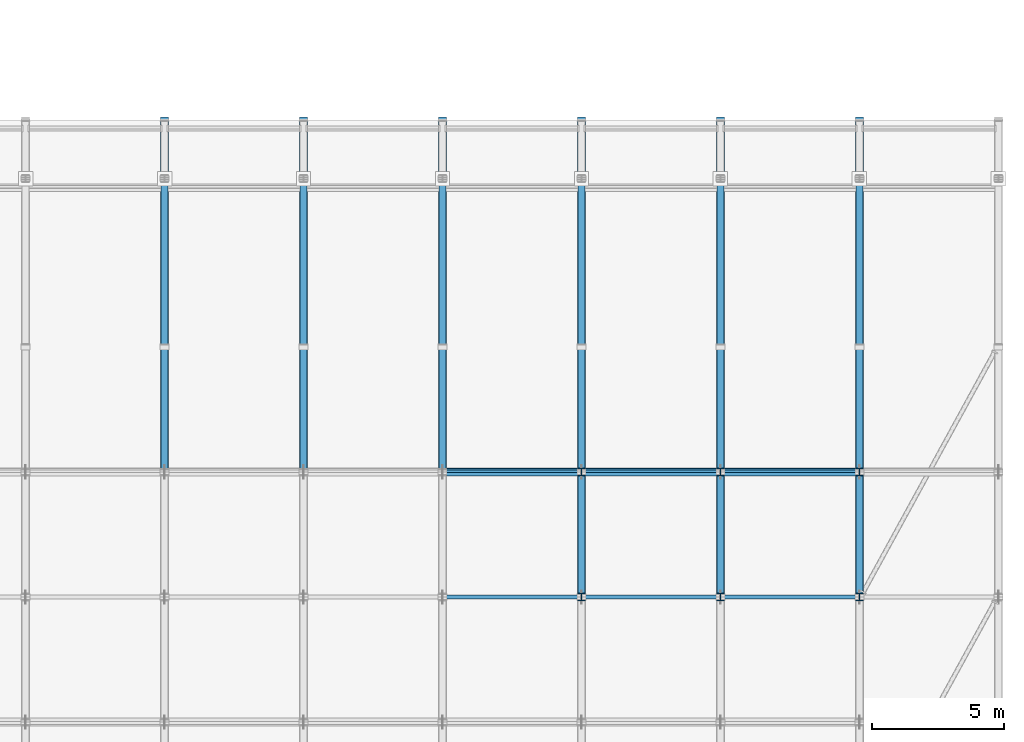
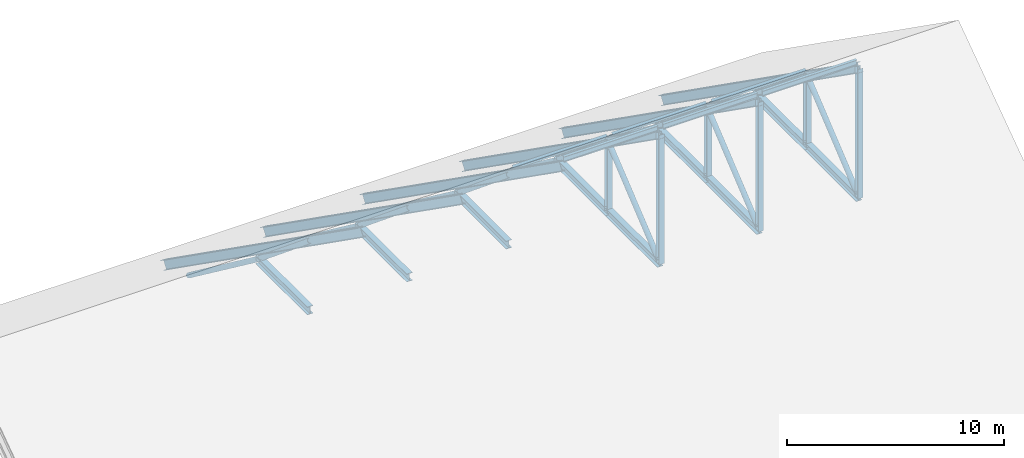
# One storey, part 13 of 57: 36 members, 6 beams.
"""IFC4 building model written with IfcOpenShell, lengths in metres."""

from ifc_helpers import new_model, si_unit, direction, frame, origin, origin_2d, place, context, subcontext, project, spatial, hollow_circle, i_section, extrude, material, material_profile, profile_set, type_object, element, save


model = new_model("IFC4")

# Units and contexts
model_context = context("Model", 3, precision=1e-05, world=origin(), true_north=direction((0.0, 1.0)))
body_context = subcontext(model_context, "Body", "Model", "MODEL_VIEW")
ifc_project = project(units=[si_unit("LENGTHUNIT", "METRE"), si_unit("AREAUNIT", "SQUARE_METRE"), si_unit("VOLUMEUNIT", "CUBIC_METRE"), si_unit("PLANEANGLEUNIT", "RADIAN"), si_unit("MASSUNIT", "GRAM", prefix="KILO")], contexts=[model_context])

# Site, building, storey
site_placement = place(None, origin())
site = spatial("IfcSite", under=ifc_project, at=site_placement, CompositionType="ELEMENT")
building_placement = place(site_placement, origin())
building = spatial("IfcBuilding", under=site, at=building_placement, Name="Kelarvand Opera House", CompositionType="ELEMENT")
storey_placement = place(building_placement, frame((0.0, 0.0, 33.60009765625)))
storey = spatial("IfcBuildingStorey", under=building, at=storey_placement, Name="Roof", CompositionType="ELEMENT", Elevation=33.60009765625)

# Members
ifc_material = material(Name="Steel S355", Category="steel")
ifc_material_profile_1 = material_profile(ifc_material, hollow_circle(Radius=0.136474609375, WallThickness=0.012451171875, at=origin_2d()), Name="CHS 273.0x12.5", Category="steel")
ifc_profile_set_1 = profile_set([ifc_material_profile_1], Name="Steel S355")
member_type_1 = type_object("IfcMemberType", Name="Structural Brace CHS 273.0x12.5 BR-CHS273", PredefinedType="BRACE", material=ifc_profile_set_1)
member_1_placement = place(storey_placement, frame((110.1201171875, 78.39990234375, -9.60009765625), z_axis=(0.0, -0.799992675677, 0.60000976564), x_axis=(1.0, 0.0, 0.0)))
element("IfcMember", 1, at=member_1_placement, inside=storey, type_object=member_type_1, Name="V1 Roof Truss 5 Support Tie N", PredefinedType="BRACE", context=body_context, shape_type="SweptSolid", body=[
    extrude(hollow_circle(Radius=0.136474609375, WallThickness=0.012451171875, at=origin_2d()), origin(), (0.0, 0.0, 1.0), 8.0),
])
member_2_placement = place(storey_placement, frame((110.1201171875, 67.25, -0.891357421875), z_axis=(0.0, 0.772175345454, -0.635409502504), x_axis=(-1.0, 0.0, 0.0)))
element("IfcMember", 2, at=member_2_placement, inside=storey, type_object=member_type_1, Name="V1 Roof Truss 5 Web Diagonal 4", PredefinedType="BRACE", context=body_context, shape_type="SweptSolid", body=[
    extrude(hollow_circle(Radius=0.136474609375, WallThickness=0.012451171875, at=origin_2d()), origin(), (0.0, 0.0, 1.0), 6.1513671875),
])
member_3_placement = place(storey_placement, frame((115.39990234375, 78.39990234375, -9.60009765625), z_axis=(0.0, -0.799992675677, 0.60000976564), x_axis=(1.0, 0.0, 0.0)))
element("IfcMember", 3, at=member_3_placement, inside=storey, type_object=member_type_1, Name="V1 Roof Truss 6 Support Tie N", PredefinedType="BRACE", context=body_context, shape_type="SweptSolid", body=[
    extrude(hollow_circle(Radius=0.136474609375, WallThickness=0.012451171875, at=origin_2d()), origin(), (0.0, 0.0, 1.0), 8.0),
])
member_4_placement = place(storey_placement, frame((115.39990234375, 67.25, -0.891357421875), z_axis=(0.0, 0.772175345454, -0.635409502504), x_axis=(-1.0, 0.0, 0.0)))
element("IfcMember", 4, at=member_4_placement, inside=storey, type_object=member_type_1, Name="V1 Roof Truss 6 Web Diagonal 4", PredefinedType="BRACE", context=body_context, shape_type="SweptSolid", body=[
    extrude(hollow_circle(Radius=0.136474609375, WallThickness=0.012451171875, at=origin_2d()), origin(), (0.0, 0.0, 1.0), 6.1513671875),
])
member_5_placement = place(storey_placement, frame((120.679931640625, 78.39990234375, -9.60009765625), z_axis=(0.0, -0.799992675677, 0.60000976564), x_axis=(1.0, 0.0, 0.0)))
element("IfcMember", 5, at=member_5_placement, inside=storey, type_object=member_type_1, Name="V1 Roof Truss 7 Support Tie N", PredefinedType="BRACE", context=body_context, shape_type="SweptSolid", body=[
    extrude(hollow_circle(Radius=0.136474609375, WallThickness=0.012451171875, at=origin_2d()), origin(), (0.0, 0.0, 1.0), 8.0),
])
member_6_placement = place(storey_placement, frame((120.679931640625, 67.25, -0.891357421875), z_axis=(0.0, 0.772175345454, -0.635409502504), x_axis=(-1.0, 0.0, 0.0)))
element("IfcMember", 6, at=member_6_placement, inside=storey, type_object=member_type_1, Name="V1 Roof Truss 7 Web Diagonal 4", PredefinedType="BRACE", context=body_context, shape_type="SweptSolid", body=[
    extrude(hollow_circle(Radius=0.136474609375, WallThickness=0.012451171875, at=origin_2d()), origin(), (0.0, 0.0, 1.0), 6.1513671875),
])
member_7_placement = place(storey_placement, frame((125.9599609375, 78.39990234375, -9.60009765625), z_axis=(0.0, -0.799992675677, 0.60000976564), x_axis=(1.0, 0.0, 0.0)))
element("IfcMember", 7, at=member_7_placement, inside=storey, type_object=member_type_1, Name="V1 Roof Truss 8 Support Tie N", PredefinedType="BRACE", context=body_context, shape_type="SweptSolid", body=[
    extrude(hollow_circle(Radius=0.136474609375, WallThickness=0.012451171875, at=origin_2d()), origin(), (0.0, 0.0, 1.0), 8.0),
])
for number, where, z_axis, x_axis, name in (
    (8, (125.9599609375, 62.5, -4.800048828125), (0.0, 0.772175345454, 0.635409502504), (-1.0, 0.0, 0.0), "V1 Roof Truss 8 Web Diagonal 3"),
    (9, (125.9599609375, 67.25, -0.891357421875), (0.0, 0.772175345454, -0.635409502504), (-1.0, 0.0, 0.0), "V1 Roof Truss 8 Web Diagonal 4"),
):
    element("IfcMember", number, at=place(storey_placement, frame(where, z_axis=z_axis, x_axis=x_axis)), inside=storey, type_object=member_type_1, Name=name, PredefinedType="BRACE", context=body_context, shape_type="SweptSolid", body=[
        extrude(hollow_circle(Radius=0.136474609375, WallThickness=0.012451171875, at=origin_2d()), origin(), (0.0, 0.0, 1.0), 6.1513671875),
    ])
member_8_placement = place(storey_placement, frame((131.239990234375, 78.39990234375, -9.60009765625), z_axis=(0.0, -0.799992675677, 0.60000976564), x_axis=(1.0, 0.0, 0.0)))
element("IfcMember", 10, at=member_8_placement, inside=storey, type_object=member_type_1, Name="V1 Roof Truss 9 Support Tie N", PredefinedType="BRACE", context=body_context, shape_type="SweptSolid", body=[
    extrude(hollow_circle(Radius=0.136474609375, WallThickness=0.012451171875, at=origin_2d()), origin(), (0.0, 0.0, 1.0), 8.0),
])
for number, where, z_axis, x_axis, name in (
    (11, (131.239990234375, 62.5, -4.800048828125), (0.0, 0.772175345454, 0.635409502504), (-1.0, 0.0, 0.0), "V1 Roof Truss 9 Web Diagonal 3"),
    (12, (131.239990234375, 67.25, -0.891357421875), (0.0, 0.772175345454, -0.635409502504), (-1.0, 0.0, 0.0), "V1 Roof Truss 9 Web Diagonal 4"),
):
    element("IfcMember", number, at=place(storey_placement, frame(where, z_axis=z_axis, x_axis=x_axis)), inside=storey, type_object=member_type_1, Name=name, PredefinedType="BRACE", context=body_context, shape_type="SweptSolid", body=[
        extrude(hollow_circle(Radius=0.136474609375, WallThickness=0.012451171875, at=origin_2d()), origin(), (0.0, 0.0, 1.0), 6.1513671875),
    ])
member_9_placement = place(storey_placement, frame((136.52001953125, 78.39990234375, -9.60009765625), z_axis=(0.0, -0.799992675677, 0.60000976564), x_axis=(1.0, 0.0, 0.0)))
element("IfcMember", 13, at=member_9_placement, inside=storey, type_object=member_type_1, Name="V1 Roof Truss 10 Support Tie N", PredefinedType="BRACE", context=body_context, shape_type="SweptSolid", body=[
    extrude(hollow_circle(Radius=0.136474609375, WallThickness=0.012451171875, at=origin_2d()), origin(), (0.0, 0.0, 1.0), 8.0),
])
for number, where, z_axis, x_axis, name in (
    (14, (136.52001953125, 62.5, -4.800048828125), (0.0, 0.772175345454, 0.635409502504), (-1.0, 0.0, 0.0), "V1 Roof Truss 10 Web Diagonal 3"),
    (15, (136.52001953125, 67.25, -0.891357421875), (0.0, 0.772175345454, -0.635409502504), (-1.0, 0.0, 0.0), "V1 Roof Truss 10 Web Diagonal 4"),
):
    element("IfcMember", number, at=place(storey_placement, frame(where, z_axis=z_axis, x_axis=x_axis)), inside=storey, type_object=member_type_1, Name=name, PredefinedType="BRACE", context=body_context, shape_type="SweptSolid", body=[
        extrude(hollow_circle(Radius=0.136474609375, WallThickness=0.012451171875, at=origin_2d()), origin(), (0.0, 0.0, 1.0), 6.1513671875),
    ])
ifc_material_profile_2 = material_profile(ifc_material, i_section(OverallWidth=0.300048828125, OverallDepth=0.449951171875, WebThickness=0.013916015625, FlangeThickness=0.02587890625, at=origin_2d()), Name="HEB 450", Category="steel")
ifc_profile_set_2 = profile_set([ifc_material_profile_2], Name="Steel S355")
member_type_2 = type_object("IfcMemberType", Name="Structural Chord HEB 450 CH-HEB450", PredefinedType="CHORD", material=ifc_profile_set_2)
for number, where, z_axis, x_axis, name in (
    (16, (110.1201171875, 67.25, -4.800048828125), (0.0, 1.0, 0.0), (-1.0, 0.0, 0.0), "V1 Roof Truss 5 Bottom Chord 4"),
    (17, (115.39990234375, 67.25, -4.800048828125), (0.0, 1.0, 0.0), (-1.0, 0.0, 0.0), "V1 Roof Truss 6 Bottom Chord 4"),
    (18, (120.679931640625, 67.25, -4.800048828125), (0.0, 1.0, 0.0), (-1.0, 0.0, 0.0), "V1 Roof Truss 7 Bottom Chord 4"),
    (19, (125.9599609375, 62.5, -4.800048828125), (0.0, 1.0, 0.0), (-1.0, 0.0, 0.0), "V1 Roof Truss 8 Bottom Chord 3"),
    (20, (125.9599609375, 67.25, -4.800048828125), (0.0, 1.0, 0.0), (-1.0, 0.0, 0.0), "V1 Roof Truss 8 Bottom Chord 4"),
    (21, (131.239990234375, 62.5, -4.800048828125), (0.0, 1.0, 0.0), (-1.0, 0.0, 0.0), "V1 Roof Truss 9 Bottom Chord 3"),
    (22, (131.239990234375, 67.25, -4.800048828125), (0.0, 1.0, 0.0), (-1.0, 0.0, 0.0), "V1 Roof Truss 9 Bottom Chord 4"),
    (23, (136.52001953125, 62.5, -4.800048828125), (0.0, 1.0, 0.0), (-1.0, 0.0, 0.0), "V1 Roof Truss 10 Bottom Chord 3"),
    (24, (136.52001953125, 67.25, -4.800048828125), (0.0, 1.0, 0.0), (-1.0, 0.0, 0.0), "V1 Roof Truss 10 Bottom Chord 4"),
):
    element("IfcMember", number, at=place(storey_placement, frame(where, z_axis=z_axis, x_axis=x_axis)), inside=storey, type_object=member_type_2, Name=name, PredefinedType="CHORD", context=body_context, shape_type="SweptSolid", body=[
        extrude(i_section(OverallWidth=0.300048828125, OverallDepth=0.449951171875, WebThickness=0.013916015625, FlangeThickness=0.02587890625, at=origin_2d()), origin(), (0.0, 0.0, 1.0), 4.75),
    ])
ifc_material_profile_3 = material_profile(ifc_material, i_section(OverallWidth=0.280029296875, OverallDepth=0.280029296875, WebThickness=0.010498046875, FlangeThickness=0.01806640625, at=origin_2d()), Name="HEB 280", Category="steel")
ifc_profile_set_3 = profile_set([ifc_material_profile_3], Name="Steel S355")
member_type_3 = type_object("IfcMemberType", Name="Structural Post HEB 280 PS-HEB280", PredefinedType="POST", material=ifc_profile_set_3)
member_10_placement = place(storey_placement, frame((125.9599609375, 62.5, -4.800048828125), z_axis=(0.0, 0.0, 1.0), x_axis=(1.0, 0.0, 0.0)))
element("IfcMember", 25, at=member_10_placement, inside=storey, type_object=member_type_3, Name="V1 Roof Truss 8 Post 2", PredefinedType="POST", context=body_context, shape_type="SweptSolid", body=[
    extrude(i_section(OverallWidth=0.280029296875, OverallDepth=0.280029296875, WebThickness=0.010498046875, FlangeThickness=0.01806640625, at=origin_2d()), origin(), (0.0, 0.0, 1.0), 7.267822265625),
])
member_11_placement = place(storey_placement, frame((125.9599609375, 67.25, -4.800048828125), z_axis=(0.0, 0.0, 1.0), x_axis=(1.0, 0.0, 0.0)))
element("IfcMember", 26, at=member_11_placement, inside=storey, type_object=member_type_3, Name="V1 Roof Truss 8 Post 3", PredefinedType="POST", context=body_context, shape_type="SweptSolid", body=[
    extrude(i_section(OverallWidth=0.280029296875, OverallDepth=0.280029296875, WebThickness=0.010498046875, FlangeThickness=0.01806640625, at=origin_2d()), origin(), (0.0, 0.0, 1.0), 3.90869140625),
])
member_12_placement = place(storey_placement, frame((131.239990234375, 62.5, -4.800048828125), z_axis=(0.0, 0.0, 1.0), x_axis=(1.0, 0.0, 0.0)))
element("IfcMember", 27, at=member_12_placement, inside=storey, type_object=member_type_3, Name="V1 Roof Truss 9 Post 2", PredefinedType="POST", context=body_context, shape_type="SweptSolid", body=[
    extrude(i_section(OverallWidth=0.280029296875, OverallDepth=0.280029296875, WebThickness=0.010498046875, FlangeThickness=0.01806640625, at=origin_2d()), origin(), (0.0, 0.0, 1.0), 7.267822265625),
])
member_13_placement = place(storey_placement, frame((131.239990234375, 67.25, -4.800048828125), z_axis=(0.0, 0.0, 1.0), x_axis=(1.0, 0.0, 0.0)))
element("IfcMember", 28, at=member_13_placement, inside=storey, type_object=member_type_3, Name="V1 Roof Truss 9 Post 3", PredefinedType="POST", context=body_context, shape_type="SweptSolid", body=[
    extrude(i_section(OverallWidth=0.280029296875, OverallDepth=0.280029296875, WebThickness=0.010498046875, FlangeThickness=0.01806640625, at=origin_2d()), origin(), (0.0, 0.0, 1.0), 3.90869140625),
])
member_14_placement = place(storey_placement, frame((136.52001953125, 62.5, -4.800048828125), z_axis=(0.0, 0.0, 1.0), x_axis=(1.0, 0.0, 0.0)))
element("IfcMember", 29, at=member_14_placement, inside=storey, type_object=member_type_3, Name="V1 Roof Truss 10 Post 2", PredefinedType="POST", context=body_context, shape_type="SweptSolid", body=[
    extrude(i_section(OverallWidth=0.280029296875, OverallDepth=0.280029296875, WebThickness=0.010498046875, FlangeThickness=0.01806640625, at=origin_2d()), origin(), (0.0, 0.0, 1.0), 7.267822265625),
])
member_15_placement = place(storey_placement, frame((136.52001953125, 67.25, -4.800048828125), z_axis=(0.0, 0.0, 1.0), x_axis=(1.0, 0.0, 0.0)))
element("IfcMember", 30, at=member_15_placement, inside=storey, type_object=member_type_3, Name="V1 Roof Truss 10 Post 3", PredefinedType="POST", context=body_context, shape_type="SweptSolid", body=[
    extrude(i_section(OverallWidth=0.280029296875, OverallDepth=0.280029296875, WebThickness=0.010498046875, FlangeThickness=0.01806640625, at=origin_2d()), origin(), (0.0, 0.0, 1.0), 3.90869140625),
])
ifc_material_profile_4 = material_profile(ifc_material, i_section(OverallWidth=0.14990234375, OverallDepth=0.300048828125, WebThickness=0.007080078125, FlangeThickness=0.0107421875, at=origin_2d()), Name="IPE 300", Category="steel")
ifc_profile_set_4 = profile_set([ifc_material_profile_4], Name="Steel S355")
member_type_4 = type_object("IfcMemberType", Name="Structural Purlin IPE 300 PR-IPE300", PredefinedType="PURLIN", material=ifc_profile_set_4)
for number, where, z_axis, x_axis, name in (
    (31, (120.820068359375, 62.5, 2.826416015625), (1.0, 0.0, 0.0), (0.0, 1.0, 0.0), "V1 Roof Purlin 7.4"),
    (32, (120.820068359375, 67.25, -0.548583984375), (1.0, 0.0, 0.0), (0.0, 0.816440043737, 0.577430216549), "V1 Roof Purlin 7.5"),
    (33, (126.10009765625, 62.5, 2.826416015625), (1.0, 0.0, 0.0), (0.0, 1.0, 0.0), "V1 Roof Purlin 8.4"),
    (34, (126.10009765625, 67.25, -0.548583984375), (1.0, 0.0, 0.0), (0.0, 0.816440043737, 0.577430216549), "V1 Roof Purlin 8.5"),
    (35, (131.3798828125, 62.5, 2.826416015625), (1.0, 0.0, 0.0), (0.0, 1.0, 0.0), "V1 Roof Purlin 9.4"),
    (36, (131.3798828125, 67.25, -0.548583984375), (1.0, 0.0, 0.0), (0.0, 0.816440043737, 0.577430216549), "V1 Roof Purlin 9.5"),
):
    element("IfcMember", number, at=place(storey_placement, frame(where, z_axis=z_axis, x_axis=x_axis)), inside=storey, type_object=member_type_4, Name=name, PredefinedType="PURLIN", context=body_context, shape_type="SweptSolid", body=[
        extrude(i_section(OverallWidth=0.14990234375, OverallDepth=0.300048828125, WebThickness=0.007080078125, FlangeThickness=0.0107421875, at=origin_2d()), origin(), (0.0, 0.0, 1.0), 5.0),
    ])

# Beams
ifc_material_profile_5 = material_profile(ifc_material, i_section(OverallWidth=0.300048828125, OverallDepth=0.5, WebThickness=0.014404296875, FlangeThickness=0.028076171875, at=origin_2d()), Name="HEB 500", Category="steel")
ifc_profile_set_5 = profile_set([ifc_material_profile_5], Name="Steel S355")
beam_type = type_object("IfcBeamType", Name="Structural Roof Truss HEB 500 RT-HEB500", PredefinedType="USERDEFINED", material=ifc_profile_set_5)
for number, where, z_axis, x_axis, name in (
    (37, (110.1201171875, 62.5, 2.4677734375), (0.0, 0.816467936104, -0.577390776956), (-1.0, 0.0, 0.0), "V1 Roof Truss 5 Top Chord Rafter 2"),
    (38, (115.39990234375, 62.5, 2.4677734375), (0.0, 0.816467936104, -0.577390776956), (-1.0, 0.0, 0.0), "V1 Roof Truss 6 Top Chord Rafter 2"),
    (39, (120.679931640625, 62.5, 2.4677734375), (0.0, 0.816467936104, -0.577390776956), (-1.0, 0.0, 0.0), "V1 Roof Truss 7 Top Chord Rafter 2"),
    (40, (125.9599609375, 62.5, 2.4677734375), (0.0, 0.816467936104, -0.577390776956), (-1.0, 0.0, 0.0), "V1 Roof Truss 8 Top Chord Rafter 2"),
    (41, (131.239990234375, 62.5, 2.4677734375), (0.0, 0.816467936104, -0.577390776956), (-1.0, 0.0, 0.0), "V1 Roof Truss 9 Top Chord Rafter 2"),
    (42, (136.52001953125, 62.5, 2.4677734375), (0.0, 0.816467936104, -0.577390776956), (-1.0, 0.0, 0.0), "V1 Roof Truss 10 Top Chord Rafter 2"),
):
    element("IfcBeam", number, at=place(storey_placement, frame(where, z_axis=z_axis, x_axis=x_axis)), inside=storey, type_object=beam_type, Name=name, ObjectType="ROOF TRUSS", PredefinedType="USERDEFINED", context=body_context, shape_type="SweptSolid", body=[
        extrude(i_section(OverallWidth=0.300048828125, OverallDepth=0.5, WebThickness=0.014404296875, FlangeThickness=0.028076171875, at=origin_2d()), origin(), (0.0, 0.0, 1.0), 22.168701171875),
    ])

save(model, "model.ifc")
